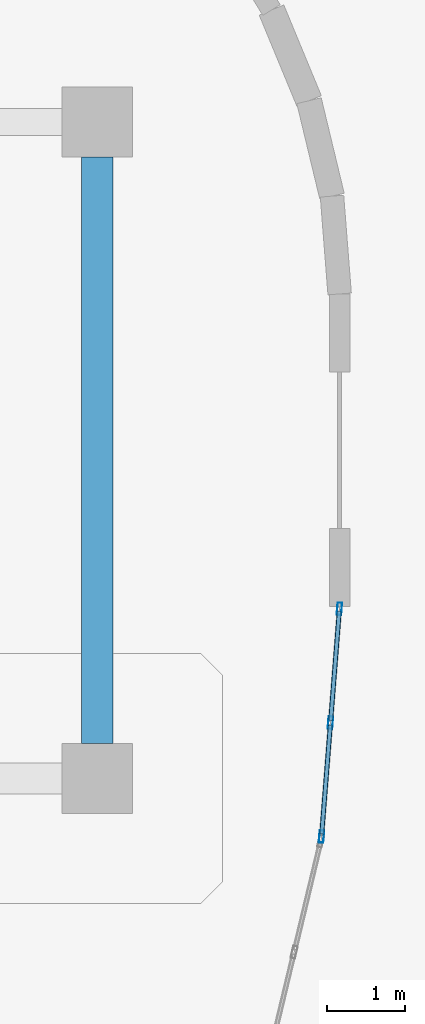
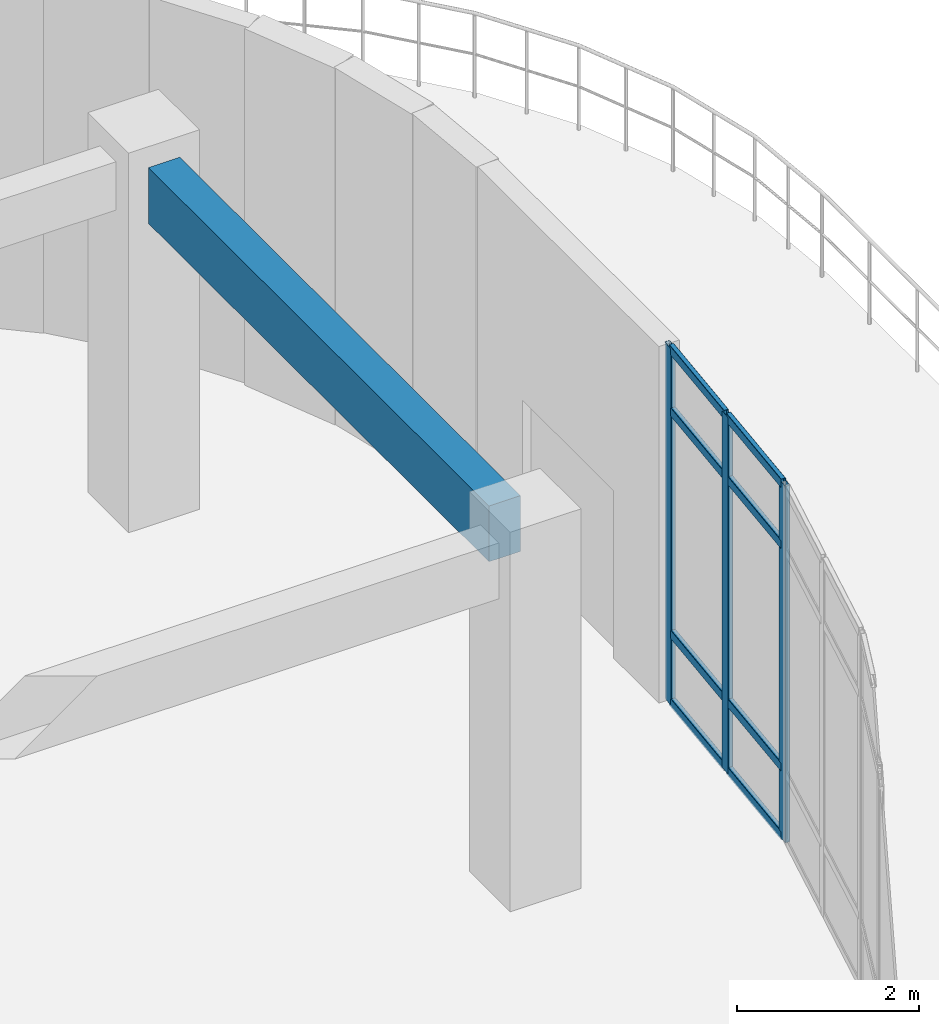
# One storey, part 69 of 120: 11 members, 1 beam, 1 element without a shape of its own.
"""IFC4 building model written with IfcOpenShell, lengths in metres."""

from ifc_helpers import new_model, si_unit, derived_unit, direction, frame, origin, origin_2d, place, context, subcontext, project, spatial, rectangle, hollow_rectangle, extrude, material, layer, layer_set, material_profile, profile_set, type_object, element, aggregate, save


model = new_model("IFC4")

# Units and contexts
model_context = context("Model", 3, precision=1e-05, world=origin(), true_north=direction((0.0, 1.0)))
body_context = subcontext(model_context, "Body", "Model", "MODEL_VIEW")
ifc_project = project(units=[si_unit("LENGTHUNIT", "METRE"), si_unit("AREAUNIT", "SQUARE_METRE"), si_unit("VOLUMEUNIT", "CUBIC_METRE"), si_unit("PLANEANGLEUNIT", "RADIAN"), si_unit("MASSUNIT", "GRAM", prefix="KILO"), derived_unit("THERMALTRANSMITTANCEUNIT", [(si_unit("MASSUNIT", "GRAM", prefix="KILO"), 1), (si_unit("TIMEUNIT", "SECOND"), -3), (si_unit("THERMODYNAMICTEMPERATUREUNIT", "KELVIN"), -1)])], contexts=[model_context])

# Site, building, storey
site_placement = place(None, origin())
site = spatial("IfcSite", under=ifc_project, at=site_placement, CompositionType="ELEMENT")
building_placement = place(site_placement, origin())
building = spatial("IfcBuilding", under=site, at=building_placement, Name="Qinzheling Arcade Emporium", CompositionType="ELEMENT")
storey_placement = place(building_placement, frame((0.0, 0.0, 11.39990234375)))
storey = spatial("IfcBuildingStorey", under=building, at=storey_placement, Name="L03", CompositionType="ELEMENT", Elevation=11.39990234375)

# Curtain wall, members
ifc_material_1 = material(Name="Anodised aluminium and solar-control double glazing", Category="aluminium")
ifc_layer = layer(ifc_material_1, 0.159912109375, Name="Anodised aluminium and solar-control double glazing", Category="aluminium")
ifc_layer_set = layer_set([ifc_layer], Name="Anodised aluminium and solar-control double glazing")
curtain_wall_type = type_object("IfcCurtainWallType", Name="Food Hall Loggia Curtain Wall", PredefinedType="NOTDEFINED", material=ifc_layer_set)
curtain_wall_placement = place(storey_placement, origin())
curtain_wall = element("IfcCurtainWall", 1, at=curtain_wall_placement, inside=storey, type_object=curtain_wall_type, Name="Curtain Wall CW-L03-128", PredefinedType="NOTDEFINED")
ifc_material_2 = material(Name="Anodised aluminium 6063-T6", Category="aluminium")
ifc_material_profile_1 = material_profile(ifc_material_2, hollow_rectangle(XDim=0.06005859375, YDim=0.159912109375, WallThickness=0.00390625, InnerFilletRadius=0.00390625, OuterFilletRadius=0.008056640625, at=origin_2d()), Name="RHS 160x60x4", Category="aluminium")
ifc_profile_set_1 = profile_set([ifc_material_profile_1], Name="Anodised aluminium 6063-T6")
member_type_1 = type_object("IfcMemberType", Name="Curtain Wall Mullion RHS160x60", PredefinedType="MULLION", material=ifc_profile_set_1)
member_1_placement = place(storey_placement, frame((168.397705078125, 18.969970703125, 0.0), z_axis=(0.0, 0.0, 1.0), x_axis=(0.996914748145, -0.078491941816, 0.0)))
member_1 = element("IfcMember", 2, at=member_1_placement, type_object=member_type_1, Name="CW04 mullion 1", PredefinedType="MULLION", context=body_context, shape_type="SweptSolid", body=[
    extrude(hollow_rectangle(XDim=0.06005859375, YDim=0.159912109375, WallThickness=0.00390625, InnerFilletRadius=0.00390625, OuterFilletRadius=0.008056640625, at=origin_2d()), origin(), (0.0, 0.0, 1.0), 4.7900390625),
])
member_2_placement = place(storey_placement, frame((168.282958984375, 17.513916015625, 0.0), z_axis=(0.0, 0.0, 1.0), x_axis=(0.996914748145, -0.078491941816, 0.0)))
member_2 = element("IfcMember", 3, at=member_2_placement, type_object=member_type_1, Name="CW04 mullion 2", PredefinedType="MULLION", context=body_context, shape_type="SweptSolid", body=[
    extrude(hollow_rectangle(XDim=0.06005859375, YDim=0.159912109375, WallThickness=0.00390625, InnerFilletRadius=0.00390625, OuterFilletRadius=0.008056640625, at=origin_2d()), origin(), (0.0, 0.0, 1.0), 4.7900390625),
])
member_3_placement = place(storey_placement, frame((168.16845703125, 16.057861328125, 0.0), z_axis=(0.0, 0.0, 1.0), x_axis=(0.996914748145, -0.078491941816, 0.0)))
member_3 = element("IfcMember", 4, at=member_3_placement, type_object=member_type_1, Name="CW04 mullion 3", PredefinedType="MULLION", context=body_context, shape_type="SweptSolid", body=[
    extrude(hollow_rectangle(XDim=0.06005859375, YDim=0.159912109375, WallThickness=0.00390625, InnerFilletRadius=0.00390625, OuterFilletRadius=0.008056640625, at=origin_2d()), origin(), (0.0, 0.0, 1.0), 4.7900390625),
])
ifc_material_profile_2 = material_profile(ifc_material_2, hollow_rectangle(XDim=0.06005859375, YDim=0.1201171875, WallThickness=0.00390625, InnerFilletRadius=0.00390625, OuterFilletRadius=0.008056640625, at=origin_2d()), Name="RHS 120x60x4", Category="aluminium")
ifc_profile_set_2 = profile_set([ifc_material_profile_2], Name="Anodised aluminium 6063-T6")
member_type_2 = type_object("IfcMemberType", Name="Curtain Wall Transom RHS120x60", PredefinedType="USERDEFINED", material=ifc_profile_set_2)
member_4_placement = place(storey_placement, frame((168.395263671875, 18.940185546875, 0.030029296875), z_axis=(-0.078442626923, -0.996918629719, 0.0), x_axis=(0.996918629719, -0.078442626923, 0.0)))
member_4 = element("IfcMember", 5, at=member_4_placement, type_object=member_type_2, Name="CW04 transom 1.1", ObjectType="TRANSOM", PredefinedType="USERDEFINED", context=body_context, shape_type="SweptSolid", body=[
    extrude(hollow_rectangle(XDim=0.06005859375, YDim=0.1201171875, WallThickness=0.00390625, InnerFilletRadius=0.00390625, OuterFilletRadius=0.008056640625, at=origin_2d()), origin(), (0.0, 0.0, 1.0), 1.400634765625),
])
member_5_placement = place(storey_placement, frame((168.395263671875, 18.940185546875, 0.9501953125), z_axis=(-0.078442626923, -0.996918629719, 0.0), x_axis=(0.996918629719, -0.078442626923, 0.0)))
member_5 = element("IfcMember", 6, at=member_5_placement, type_object=member_type_2, Name="CW04 transom 1.2", ObjectType="TRANSOM", PredefinedType="USERDEFINED", context=body_context, shape_type="SweptSolid", body=[
    extrude(hollow_rectangle(XDim=0.06005859375, YDim=0.1201171875, WallThickness=0.00390625, InnerFilletRadius=0.00390625, OuterFilletRadius=0.008056640625, at=origin_2d()), origin(), (0.0, 0.0, 1.0), 1.400634765625),
])
member_6_placement = place(storey_placement, frame((168.395263671875, 18.940185546875, 3.940185546875), z_axis=(-0.078442626923, -0.996918629719, 0.0), x_axis=(0.996918629719, -0.078442626923, 0.0)))
member_6 = element("IfcMember", 7, at=member_6_placement, type_object=member_type_2, Name="CW04 transom 1.3", ObjectType="TRANSOM", PredefinedType="USERDEFINED", context=body_context, shape_type="SweptSolid", body=[
    extrude(hollow_rectangle(XDim=0.06005859375, YDim=0.1201171875, WallThickness=0.00390625, InnerFilletRadius=0.00390625, OuterFilletRadius=0.008056640625, at=origin_2d()), origin(), (0.0, 0.0, 1.0), 1.400634765625),
])
member_7_placement = place(storey_placement, frame((168.395263671875, 18.940185546875, 4.760009765625), z_axis=(-0.078442626923, -0.996918629719, 0.0), x_axis=(0.996918629719, -0.078442626923, 0.0)))
member_7 = element("IfcMember", 8, at=member_7_placement, type_object=member_type_2, Name="CW04 transom 1.4", ObjectType="TRANSOM", PredefinedType="USERDEFINED", context=body_context, shape_type="SweptSolid", body=[
    extrude(hollow_rectangle(XDim=0.06005859375, YDim=0.1201171875, WallThickness=0.00390625, InnerFilletRadius=0.00390625, OuterFilletRadius=0.008056640625, at=origin_2d()), origin(), (0.0, 0.0, 1.0), 1.400634765625),
])
member_8_placement = place(storey_placement, frame((168.28076171875, 17.484130859375, 0.030029296875), z_axis=(-0.078615867701, -0.996904983108, 0.0), x_axis=(0.996904983108, -0.078615867701, 0.0)))
member_8 = element("IfcMember", 9, at=member_8_placement, type_object=member_type_2, Name="CW04 transom 2.1", ObjectType="TRANSOM", PredefinedType="USERDEFINED", context=body_context, shape_type="SweptSolid", body=[
    extrude(hollow_rectangle(XDim=0.06005859375, YDim=0.1201171875, WallThickness=0.00390625, InnerFilletRadius=0.00390625, OuterFilletRadius=0.008056640625, at=origin_2d()), origin(), (0.0, 0.0, 1.0), 1.400634765625),
])
member_9_placement = place(storey_placement, frame((168.28076171875, 17.484130859375, 0.9501953125), z_axis=(-0.078615867701, -0.996904983108, 0.0), x_axis=(0.996904983108, -0.078615867701, 0.0)))
member_9 = element("IfcMember", 10, at=member_9_placement, type_object=member_type_2, Name="CW04 transom 2.2", ObjectType="TRANSOM", PredefinedType="USERDEFINED", context=body_context, shape_type="SweptSolid", body=[
    extrude(hollow_rectangle(XDim=0.06005859375, YDim=0.1201171875, WallThickness=0.00390625, InnerFilletRadius=0.00390625, OuterFilletRadius=0.008056640625, at=origin_2d()), origin(), (0.0, 0.0, 1.0), 1.400634765625),
])
member_10_placement = place(storey_placement, frame((168.28076171875, 17.484130859375, 3.940185546875), z_axis=(-0.078615867701, -0.996904983108, 0.0), x_axis=(0.996904983108, -0.078615867701, 0.0)))
member_10 = element("IfcMember", 11, at=member_10_placement, type_object=member_type_2, Name="CW04 transom 2.3", ObjectType="TRANSOM", PredefinedType="USERDEFINED", context=body_context, shape_type="SweptSolid", body=[
    extrude(hollow_rectangle(XDim=0.06005859375, YDim=0.1201171875, WallThickness=0.00390625, InnerFilletRadius=0.00390625, OuterFilletRadius=0.008056640625, at=origin_2d()), origin(), (0.0, 0.0, 1.0), 1.400634765625),
])
member_11_placement = place(storey_placement, frame((168.28076171875, 17.484130859375, 4.760009765625), z_axis=(-0.078615867701, -0.996904983108, 0.0), x_axis=(0.996904983108, -0.078615867701, 0.0)))
member_11 = element("IfcMember", 12, at=member_11_placement, type_object=member_type_2, Name="CW04 transom 2.4", ObjectType="TRANSOM", PredefinedType="USERDEFINED", context=body_context, shape_type="SweptSolid", body=[
    extrude(hollow_rectangle(XDim=0.06005859375, YDim=0.1201171875, WallThickness=0.00390625, InnerFilletRadius=0.00390625, OuterFilletRadius=0.008056640625, at=origin_2d()), origin(), (0.0, 0.0, 1.0), 1.400634765625),
])
aggregate(curtain_wall, [member_1, member_2, member_3, member_4, member_5, member_6, member_7, member_8, member_9, member_10, member_11])

# Beam
ifc_material_3 = material(Name="Concrete C40", Category="concrete")
ifc_material_profile_3 = material_profile(ifc_material_3, rectangle(XDim=0.39990234375, YDim=0.75, at=origin_2d()), Name="RC 400x750", Category="concrete")
ifc_profile_set_3 = profile_set([ifc_material_profile_3], Name="Concrete C40")
beam_type = type_object("IfcBeamType", Name="RC Interior Tie Beam 400x750 C40", PredefinedType="BEAM", material=ifc_profile_set_3)
beam_placement = place(storey_placement, frame((165.300048828125, 17.25, 4.445068359375), z_axis=(0.0, 1.0, 0.0), x_axis=(-1.0, 0.0, 0.0)))
element("IfcBeam", 13, at=beam_placement, inside=storey, type_object=beam_type, Name="Beam BM-L03-Y-20-C", PredefinedType="BEAM", context=body_context, shape_type="SweptSolid", body=[
    extrude(rectangle(XDim=0.39990234375, YDim=0.75, at=origin_2d()), origin(), (0.0, 0.0, 1.0), 7.5),
])

save(model, "model.ifc")
